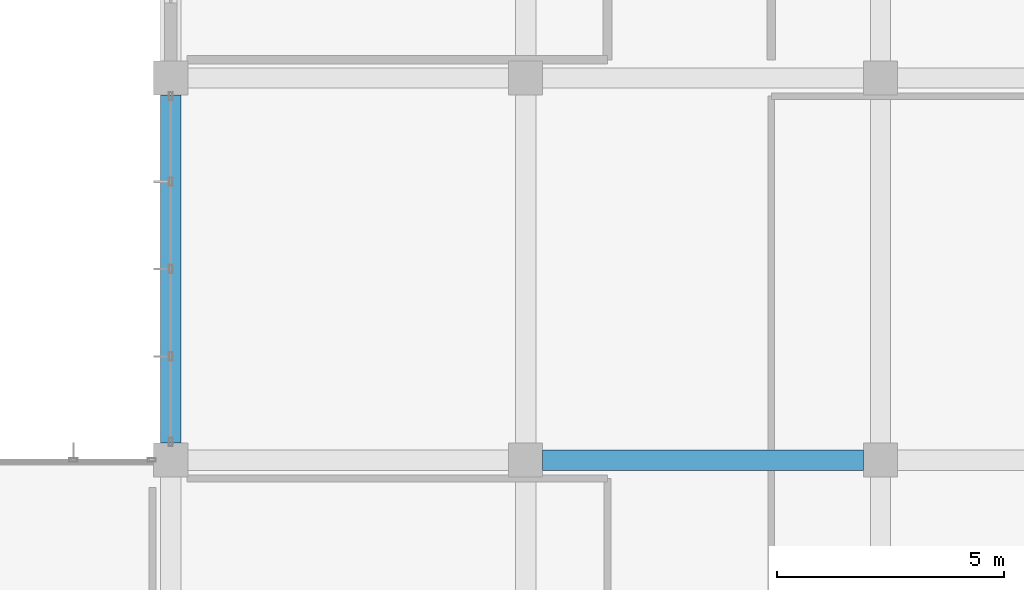
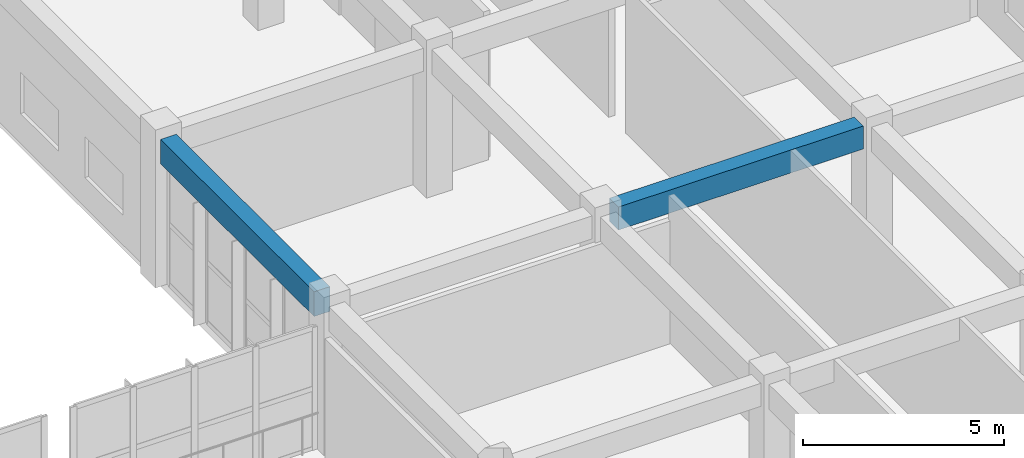
# One storey, part 48 of 167: 2 beams.
"""IFC4 building model written with IfcOpenShell, lengths in metres."""

from ifc_helpers import new_model, si_unit, direction, frame, origin, origin_2d, place, context, subcontext, project, spatial, rectangle, extrude, material, material_profile, profile_set, type_object, element, save


model = new_model("IFC4")

# Units and contexts
model_context = context("Model", 3, precision=1e-05, world=origin(), true_north=direction((0.0, 1.0)))
body_context = subcontext(model_context, "Body", "Model", "MODEL_VIEW")
ifc_project = project(units=[si_unit("LENGTHUNIT", "METRE"), si_unit("AREAUNIT", "SQUARE_METRE"), si_unit("VOLUMEUNIT", "CUBIC_METRE"), si_unit("PLANEANGLEUNIT", "RADIAN"), si_unit("MASSUNIT", "GRAM", prefix="KILO")], contexts=[model_context])

# Site, building, storey
site_placement = place(None, origin())
site = spatial("IfcSite", under=ifc_project, at=site_placement, CompositionType="ELEMENT")
building_placement = place(site_placement, origin())
building = spatial("IfcBuilding", under=site, at=building_placement, Name="Zizhar Promenade General Hospital", CompositionType="ELEMENT")
storey_placement = place(building_placement, frame((0.0, 0.0, 9.60009765625)))
storey = spatial("IfcBuildingStorey", under=building, at=storey_placement, Name="L02", CompositionType="ELEMENT", Elevation=9.60009765625)

# Beams
ifc_material_1 = material(Name="Concrete C35/45", Category="concrete")
ifc_material_profile_1 = material_profile(ifc_material_1, rectangle(XDim=0.449951171875, YDim=0.699951171875, at=origin_2d()))
ifc_profile_set_1 = profile_set([ifc_material_profile_1], Name="Concrete C35/45")
beam_type_1 = type_object("IfcBeamType", Name="BM-RC-450x700", PredefinedType="BEAM", material=ifc_profile_set_1)
beam_1_placement = place(storey_placement, frame((54.97509765625, 84.0, 4.119873046875), z_axis=(1.0, 0.0, 0.0), x_axis=(0.0, 1.0, 0.0)))
element("IfcBeam", 1, at=beam_1_placement, inside=storey, type_object=beam_type_1, Name="Grid Beam X L02 (7-10)", PredefinedType="BEAM", context=body_context, shape_type="SweptSolid", body=[
    extrude(rectangle(XDim=0.449951171875, YDim=0.699951171875, at=origin_2d()), origin(), (0.0, 0.0, 1.0), 7.0498046875),
])
ifc_material_2 = material(Name="Concrete C35/45", Category="concrete")
ifc_material_profile_2 = material_profile(ifc_material_2, rectangle(XDim=0.449951171875, YDim=0.75, at=origin_2d()))
ifc_profile_set_2 = profile_set([ifc_material_profile_2], Name="Concrete C35/45")
beam_type_2 = type_object("IfcBeamType", Name="BM-RC-450x750", PredefinedType="BEAM", material=ifc_profile_set_2)
beam_2_placement = place(storey_placement, frame((46.800048828125, 84.375, 4.094970703125), z_axis=(0.0, 1.0, 0.0), x_axis=(-1.0, 0.0, 0.0)))
element("IfcBeam", 2, at=beam_2_placement, inside=storey, type_object=beam_type_2, Name="Grid Beam Y L02 (6-10)", PredefinedType="BEAM", context=body_context, shape_type="SweptSolid", body=[
    extrude(rectangle(XDim=0.449951171875, YDim=0.75, at=origin_2d()), origin(), (0.0, 0.0, 1.0), 7.64990234375),
])

save(model, "model.ifc")
